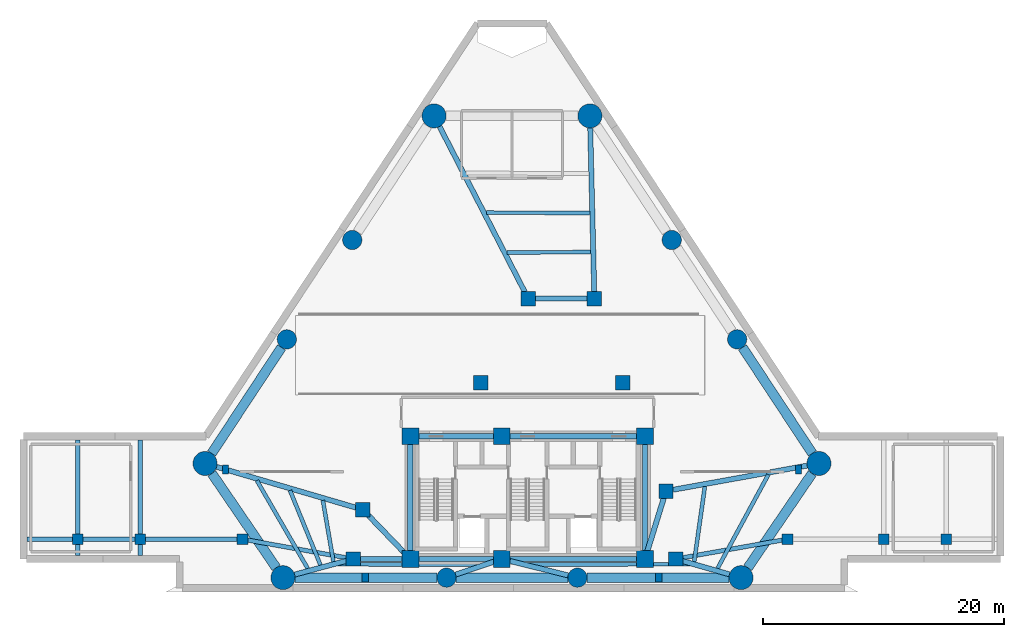
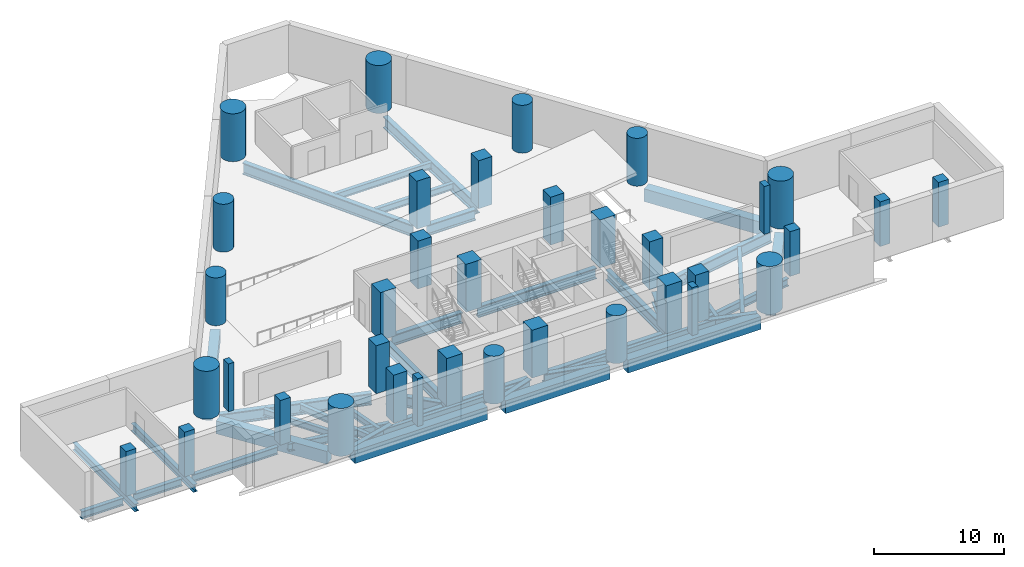
# One storey, part 1 of 6: 41 beams, 36 columns.
"""IFC4 building model written with IfcOpenShell, lengths in metres."""

from ifc_helpers import new_model, si_unit, direction, frame, origin, origin_2d, place, context, subcontext, project, spatial, rectangle, circle, i_section, extrude, material, material_profile, profile_set, type_object, element, save


model = new_model("IFC4")

# Units and contexts
model_context = context("Model", 3, precision=1e-05, world=origin(), true_north=direction((0.0, 1.0)))
body_context = subcontext(model_context, "Body", "Model", "MODEL_VIEW")
ifc_project = project(units=[si_unit("LENGTHUNIT", "METRE"), si_unit("AREAUNIT", "SQUARE_METRE"), si_unit("VOLUMEUNIT", "CUBIC_METRE"), si_unit("PLANEANGLEUNIT", "RADIAN"), si_unit("MASSUNIT", "GRAM", prefix="KILO")], contexts=[model_context])

# Site, building, storey
site_placement = place(None, origin())
site = spatial("IfcSite", under=ifc_project, at=site_placement, CompositionType="ELEMENT")
building_placement = place(site_placement, origin())
building = spatial("IfcBuilding", under=site, at=building_placement, Name="Almagre Mirador Tower", CompositionType="ELEMENT")
storey_placement = place(building_placement, frame((0.0, 0.0, -4.5)))
storey = spatial("IfcBuildingStorey", under=building, at=storey_placement, Name="B01", CompositionType="ELEMENT", Elevation=-4.5)

# Columns
ifc_material_1 = material(Name="Precast concrete C50/60", Category="concrete")
ifc_material_profile_1 = material_profile(ifc_material_1, rectangle(XDim=0.5, YDim=0.75, at=origin_2d()), Name="RC500X750")
ifc_profile_set_1 = profile_set([ifc_material_profile_1], Name="Precast concrete C50/60")
column_type_1 = type_object("IfcColumnType", Name="COL-PIL-500X750", PredefinedType="PILASTER", material=ifc_profile_set_1)
for number, where, z_axis, x_axis, name in (
    (1, (23.800048828125, 3.0, 0.0), (0.0, 0.0, 1.0), (1.0, 0.0, 0.0), "B01 expressed frame pilaster 01"),
    (2, (48.199951171875, 3.0, 0.0), (0.0, 0.0, 1.0), (1.0, 0.0, 0.0), "B01 expressed frame pilaster 02"),
    (3, (12.199951171875, 12.0, 0.0), (0.0, 0.0, 1.0), (1.0, 0.0, 0.0), "B01 expressed frame pilaster 03"),
    (4, (59.800048828125, 12.0, 0.0), (0.0, 0.0, 1.0), (1.0, 0.0, 0.0), "B01 expressed frame pilaster 04"),
):
    element("IfcColumn", number, at=place(storey_placement, frame(where, z_axis=z_axis, x_axis=x_axis)), inside=storey, type_object=column_type_1, Name=name, PredefinedType="PILASTER", context=body_context, shape_type="SweptSolid", body=[
        extrude(rectangle(XDim=0.5, YDim=0.75, at=origin_2d()), origin(), (0.0, 0.0, 1.0), 4.5),
    ])
ifc_material_2 = material(Name="Concrete C60/75", Category="concrete")
ifc_material_profile_2 = material_profile(ifc_material_2, rectangle(XDim=1.199951171875, YDim=1.199951171875, at=origin_2d()), Name="RC1200X1200")
ifc_profile_set_2 = profile_set([ifc_material_profile_2], Name="Concrete C60/75")
column_type_2 = type_object("IfcColumnType", Name="COL-RC1200", PredefinedType="COLUMN", material=ifc_profile_set_2)
for number, where, z_axis, x_axis, name in (
    (5, (22.800048828125, 4.550048828125, 0.0), (0.0, 0.0, 1.0), (1.0, 0.0, 0.0), "B01 interior transfer column MC1"),
    (6, (49.60009765625, 4.550048828125, 0.0), (0.0, 0.0, 1.0), (1.0, 0.0, 0.0), "B01 interior transfer column MC2"),
    (7, (48.800048828125, 10.199951171875, 0.0), (0.0, 0.0, 1.0), (1.0, 0.0, 0.0), "B01 interior transfer column MC3"),
    (8, (45.199951171875, 19.199951171875, 0.0), (0.0, 0.0, 1.0), (1.0, 0.0, 0.0), "B01 interior transfer column MC5"),
    (9, (42.85009765625, 26.199951171875, 0.0), (0.0, 0.0, 1.0), (1.0, 0.0, 0.0), "B01 interior transfer column MC6"),
    (10, (37.35009765625, 26.199951171875, 0.0), (0.0, 0.0, 1.0), (1.0, 0.0, 0.0), "B01 interior transfer column MC7"),
    (11, (33.39990234375, 19.199951171875, 0.0), (0.0, 0.0, 1.0), (1.0, 0.0, 0.0), "B01 interior transfer column MC8"),
    (12, (23.60009765625, 8.64990234375, 0.0), (0.0, 0.0, 1.0), (1.0, 0.0, 0.0), "B01 interior transfer column MC10"),
):
    element("IfcColumn", number, at=place(storey_placement, frame(where, z_axis=z_axis, x_axis=x_axis)), inside=storey, type_object=column_type_2, Name=name, PredefinedType="COLUMN", context=body_context, shape_type="SweptSolid", body=[
        extrude(rectangle(XDim=1.199951171875, YDim=1.199951171875, at=origin_2d()), origin(), (0.0, 0.0, 1.0), 4.5),
    ])
ifc_material_3 = material(Name="Concrete C60/75", Category="concrete")
ifc_material_profile_3 = material_profile(ifc_material_3, rectangle(XDim=1.39990234375, YDim=1.39990234375, at=origin_2d()), Name="RC1400X1400")
ifc_profile_set_3 = profile_set([ifc_material_profile_3], Name="Concrete C60/75")
column_type_3 = type_object("IfcColumnType", Name="COL-RC1400", PredefinedType="COLUMN", material=ifc_profile_set_3)
for number, where, z_axis, x_axis, name in (
    (13, (27.550048828125, 4.550048828125, 0.0), (0.0, 0.0, 1.0), (1.0, 0.0, 0.0), "B01 core spine column CC1"),
    (14, (35.14990234375, 4.550048828125, 0.0), (0.0, 0.0, 1.0), (1.0, 0.0, 0.0), "B01 core spine column CC2"),
    (15, (47.050048828125, 4.550048828125, 0.0), (0.0, 0.0, 1.0), (1.0, 0.0, 0.0), "B01 core spine column CC3"),
    (16, (27.550048828125, 14.75, 0.0), (0.0, 0.0, 1.0), (1.0, 0.0, 0.0), "B01 core spine column CC4"),
    (17, (35.14990234375, 14.75, 0.0), (0.0, 0.0, 1.0), (1.0, 0.0, 0.0), "B01 core spine column CC5"),
    (18, (47.050048828125, 14.75, 0.0), (0.0, 0.0, 1.0), (1.0, 0.0, 0.0), "B01 core spine column CC6"),
):
    element("IfcColumn", number, at=place(storey_placement, frame(where, z_axis=z_axis, x_axis=x_axis)), inside=storey, type_object=column_type_3, Name=name, PredefinedType="COLUMN", context=body_context, shape_type="SweptSolid", body=[
        extrude(rectangle(XDim=1.39990234375, YDim=1.39990234375, at=origin_2d()), origin(), (0.0, 0.0, 1.0), 4.5),
    ])
ifc_material_4 = material(Name="Concrete C70/85", Category="concrete")
ifc_material_profile_4 = material_profile(ifc_material_4, circle(Radius=0.800048828125, at=origin_2d()), Name="RC1600D")
ifc_profile_set_4 = profile_set([ifc_material_profile_4], Name="Concrete C70/85")
column_type_4 = type_object("IfcColumnType", Name="COL-RC1600D", PredefinedType="COLUMN", material=ifc_profile_set_4)
for number, where, z_axis, x_axis, name in (
    (19, (30.56005859375, 3.0, 0.0), (0.0, 0.0, 1.0), (1.0, 0.0, 0.0), "B01 perimeter column PC02"),
    (20, (41.43994140625, 3.0, 0.0), (0.0, 0.0, 1.0), (1.0, 0.0, 0.0), "B01 perimeter column PC03"),
    (21, (54.718017578125, 22.81201171875, 0.0), (0.0, 0.0, 1.0), (1.0, 0.0, 0.0), "B01 perimeter column PC06"),
    (22, (49.278076171875, 31.068115234375, 0.0), (0.0, 0.0, 1.0), (1.0, 0.0, 0.0), "B01 perimeter column PC07"),
    (23, (22.721923828125, 31.068115234375, 0.0), (0.0, 0.0, 1.0), (1.0, 0.0, 0.0), "B01 perimeter column PC10"),
    (24, (17.281982421875, 22.81201171875, 0.0), (0.0, 0.0, 1.0), (1.0, 0.0, 0.0), "B01 perimeter column PC11"),
):
    element("IfcColumn", number, at=place(storey_placement, frame(where, z_axis=z_axis, x_axis=x_axis)), inside=storey, type_object=column_type_4, Name=name, PredefinedType="COLUMN", context=body_context, shape_type="SweptSolid", body=[
        extrude(circle(Radius=0.800048828125, at=origin_2d()), origin(), (0.0, 0.0, 1.0), 4.5),
    ])
ifc_material_5 = material(Name="Concrete C70/85", Category="concrete")
ifc_material_profile_5 = material_profile(ifc_material_5, circle(Radius=1.0, at=origin_2d()), Name="RC2000D")
ifc_profile_set_5 = profile_set([ifc_material_profile_5], Name="Concrete C70/85")
column_type_5 = type_object("IfcColumnType", Name="COL-RC2000D", PredefinedType="COLUMN", material=ifc_profile_set_5)
for number, where, z_axis, x_axis, name in (
    (25, (16.9599609375, 3.0, 0.0), (0.0, 0.0, 1.0), (1.0, 0.0, 0.0), "B01 perimeter column PC01"),
    (26, (55.0400390625, 3.0, 0.0), (0.0, 0.0, 1.0), (1.0, 0.0, 0.0), "B01 perimeter column PC04"),
    (27, (61.51806640625, 12.491943359375, 0.0), (0.0, 0.0, 1.0), (1.0, 0.0, 0.0), "B01 perimeter column PC05"),
    (28, (42.47802734375, 41.387939453125, 0.0), (0.0, 0.0, 1.0), (1.0, 0.0, 0.0), "B01 perimeter column PC08"),
    (29, (29.52197265625, 41.387939453125, 0.0), (0.0, 0.0, 1.0), (1.0, 0.0, 0.0), "B01 perimeter column PC09"),
    (30, (10.48193359375, 12.491943359375, 0.0), (0.0, 0.0, 1.0), (1.0, 0.0, 0.0), "B01 perimeter column PC12"),
):
    element("IfcColumn", number, at=place(storey_placement, frame(where, z_axis=z_axis, x_axis=x_axis)), inside=storey, type_object=column_type_5, Name=name, PredefinedType="COLUMN", context=body_context, shape_type="SweptSolid", body=[
        extrude(circle(Radius=1.0, at=origin_2d()), origin(), (0.0, 0.0, 1.0), 4.5),
    ])
ifc_material_6 = material(Name="Concrete C60/75", Category="concrete")
ifc_material_profile_6 = material_profile(ifc_material_6, rectangle(XDim=0.89990234375, YDim=0.89990234375, at=origin_2d()), Name="RC900X900")
ifc_profile_set_6 = profile_set([ifc_material_profile_6], Name="Concrete C60/75")
column_type_6 = type_object("IfcColumnType", Name="COL-RC900", PredefinedType="COLUMN", material=ifc_profile_set_6)
for number, where, z_axis, x_axis, name in (
    (31, (-0.10009765625, 6.199951171875, 0.0), (0.0, 0.0, 1.0), (1.0, 0.0, 0.0), "B01 substructure wing column BCW1"),
    (32, (5.10009765625, 6.199951171875, 0.0), (0.0, 0.0, 1.0), (1.0, 0.0, 0.0), "B01 substructure wing column BCW2"),
    (33, (13.60009765625, 6.199951171875, 0.0), (0.0, 0.0, 1.0), (1.0, 0.0, 0.0), "B01 substructure wing column BCW3"),
    (34, (72.10009765625, 6.199951171875, 0.0), (0.0, 0.0, 1.0), (1.0, 0.0, 0.0), "B01 substructure wing column BCE1"),
    (35, (66.89990234375, 6.199951171875, 0.0), (0.0, 0.0, 1.0), (1.0, 0.0, 0.0), "B01 substructure wing column BCE2"),
    (36, (58.89990234375, 6.199951171875, 0.0), (0.0, 0.0, 1.0), (1.0, 0.0, 0.0), "B01 substructure wing column BCE3"),
):
    element("IfcColumn", number, at=place(storey_placement, frame(where, z_axis=z_axis, x_axis=x_axis)), inside=storey, type_object=column_type_6, Name=name, PredefinedType="COLUMN", context=body_context, shape_type="SweptSolid", body=[
        extrude(rectangle(XDim=0.89990234375, YDim=0.89990234375, at=origin_2d()), origin(), (0.0, 0.0, 1.0), 4.199951171875),
    ])

# Beams
ifc_material_7 = material(Name="Steel ASTM A992 Grade 50", Category="steel")
ifc_material_profile_7 = material_profile(ifc_material_7, i_section(OverallWidth=0.323974609375, OverallDepth=0.611083984375, WebThickness=0.0126953125, FlangeThickness=0.01904296875, FilletRadius=0.02001953125, at=origin_2d()), Name="W24X104")
ifc_profile_set_7 = profile_set([ifc_material_profile_7], Name="Steel ASTM A992 Grade 50")
beam_type_1 = type_object("IfcBeamType", Name="BM-JST-W24X104", PredefinedType="JOIST", material=ifc_profile_set_7)
beam_1_placement = place(storey_placement, frame((21.401611328125, 4.12158203125, -0.60546875), z_axis=(0.999990956833, -0.004252793403, 0.0), x_axis=(0.004252793403, 0.999990956833, 0.0)))
element("IfcBeam", 37, at=beam_1_placement, inside=storey, type_object=beam_type_1, Name="B01 secondary floor joist PC01-PC02.3", PredefinedType="JOIST", context=body_context, shape_type="SweptSolid", body=[
    extrude(i_section(OverallWidth=0.323974609375, OverallDepth=0.611083984375, WebThickness=0.0126953125, FlangeThickness=0.01904296875, FilletRadius=0.02001953125, at=origin_2d()), origin(), (0.0, 0.0, 1.0), 12.11279296875),
])
beam_2_placement = place(storey_placement, frame((37.20166015625, 4.096923828125, -0.60546875), z_axis=(0.99999877032, 0.001568234162, 0.0), x_axis=(-0.001568234162, 0.99999877032, 0.0)))
element("IfcBeam", 38, at=beam_2_placement, inside=storey, type_object=beam_type_1, Name="B01 secondary floor joist PC03-PC04.3", PredefinedType="JOIST", context=body_context, shape_type="SweptSolid", body=[
    extrude(i_section(OverallWidth=0.323974609375, OverallDepth=0.611083984375, WebThickness=0.0126953125, FlangeThickness=0.01904296875, FilletRadius=0.02001953125, at=origin_2d()), origin(), (0.0, 0.0, 1.0), 13.69970703125),
])
beam_3_placement = place(storey_placement, frame((53.0869140625, 3.771484375, -0.60546875), z_axis=(0.476618423224, 0.879110276725, 0.0), x_axis=(-0.879110276725, 0.476618423224, 0.0)))
element("IfcBeam", 39, at=beam_3_placement, inside=storey, type_object=beam_type_1, Name="B01 secondary floor joist PC04-PC05.1", PredefinedType="JOIST", context=body_context, shape_type="SweptSolid", body=[
    extrude(i_section(OverallWidth=0.323974609375, OverallDepth=0.611083984375, WebThickness=0.0126953125, FlangeThickness=0.01904296875, FilletRadius=0.02001953125, at=origin_2d()), origin(), (0.0, 0.0, 1.0), 8.8662109375),
])
beam_4_placement = place(storey_placement, frame((51.143310546875, 4.32861328125, -0.60546875), z_axis=(0.141226451712, 0.989977317587, 0.0), x_axis=(-0.989977317587, 0.141226451712, 0.0)))
element("IfcBeam", 40, at=beam_4_placement, inside=storey, type_object=beam_type_1, Name="B01 secondary floor joist PC04-PC05.3", PredefinedType="JOIST", context=body_context, shape_type="SweptSolid", body=[
    extrude(i_section(OverallWidth=0.323974609375, OverallDepth=0.611083984375, WebThickness=0.0126953125, FlangeThickness=0.01904296875, FilletRadius=0.02001953125, at=origin_2d()), origin(), (0.0, 0.0, 1.0), 6.313232421875),
])
beam_5_placement = place(storey_placement, frame((42.463623046875, 33.32275390625, -0.60546875), z_axis=(-0.999997902347, 0.002048243314, 0.0), x_axis=(-0.002048243314, -0.999997902347, 0.0)))
element("IfcBeam", 41, at=beam_5_placement, inside=storey, type_object=beam_type_1, Name="B01 secondary floor joist PC08-PC09.2", PredefinedType="JOIST", context=body_context, shape_type="SweptSolid", body=[
    extrude(i_section(OverallWidth=0.323974609375, OverallDepth=0.611083984375, WebThickness=0.0126953125, FlangeThickness=0.01904296875, FilletRadius=0.02001953125, at=origin_2d()), origin(), (0.0, 0.0, 1.0), 8.58203125),
])
beam_6_placement = place(storey_placement, frame((42.54345703125, 30.060302734375, -0.60546875), z_axis=(-0.99999479165, -0.003227487137, 0.0), x_axis=(0.003227487137, -0.99999479165, 0.0)))
element("IfcBeam", 42, at=beam_6_placement, inside=storey, type_object=beam_type_1, Name="B01 secondary floor joist PC08-PC09.3", PredefinedType="JOIST", context=body_context, shape_type="SweptSolid", body=[
    extrude(i_section(OverallWidth=0.323974609375, OverallDepth=0.611083984375, WebThickness=0.0126953125, FlangeThickness=0.01904296875, FilletRadius=0.02001953125, at=origin_2d()), origin(), (0.0, 0.0, 1.0), 6.959228515625),
])
beam_7_placement = place(storey_placement, frame((14.791015625, 11.077392578125, -0.60546875), z_axis=(0.500570588924, -0.865695723395, 0.0), x_axis=(0.865695723395, 0.500570588924, 0.0)))
element("IfcBeam", 43, at=beam_7_placement, inside=storey, type_object=beam_type_1, Name="B01 secondary floor joist PC12-PC01.1", PredefinedType="JOIST", context=body_context, shape_type="SweptSolid", body=[
    extrude(i_section(OverallWidth=0.323974609375, OverallDepth=0.611083984375, WebThickness=0.0126953125, FlangeThickness=0.01904296875, FilletRadius=0.02001953125, at=origin_2d()), origin(), (0.0, 0.0, 1.0), 8.45361328125),
])
beam_8_placement = place(storey_placement, frame((17.544921875, 10.25048828125, -0.60546875), z_axis=(0.378088150656, -0.925769598947, 0.0), x_axis=(0.925769598947, 0.378088150656, 0.0)))
element("IfcBeam", 44, at=beam_8_placement, inside=storey, type_object=beam_type_1, Name="B01 secondary floor joist PC12-PC01.2", PredefinedType="JOIST", context=body_context, shape_type="SweptSolid", body=[
    extrude(i_section(OverallWidth=0.323974609375, OverallDepth=0.611083984375, WebThickness=0.0126953125, FlangeThickness=0.01904296875, FilletRadius=0.02001953125, at=origin_2d()), origin(), (0.0, 0.0, 1.0), 6.70263671875),
])
beam_9_placement = place(storey_placement, frame((20.2802734375, 9.423828125, -0.60546875), z_axis=(0.169071360665, -0.985603812393, 0.0), x_axis=(0.985603812393, 0.169071360665, 0.0)))
element("IfcBeam", 45, at=beam_9_placement, inside=storey, type_object=beam_type_1, Name="B01 secondary floor joist PC12-PC01.3", PredefinedType="JOIST", context=body_context, shape_type="SweptSolid", body=[
    extrude(i_section(OverallWidth=0.323974609375, OverallDepth=0.611083984375, WebThickness=0.0126953125, FlangeThickness=0.01904296875, FilletRadius=0.02001953125, at=origin_2d()), origin(), (0.0, 0.0, 1.0), 5.166748046875),
])
ifc_material_8 = material(Name="Precast concrete C50/60", Category="concrete")
ifc_material_profile_8 = material_profile(ifc_material_8, rectangle(XDim=0.800048828125, YDim=1.199951171875, at=origin_2d()), Name="RC800X1200")
ifc_profile_set_8 = profile_set([ifc_material_profile_8], Name="Precast concrete C50/60")
beam_type_2 = type_object("IfcBeamType", Name="BM-SPN-RC800X1200", PredefinedType="SPANDREL", material=ifc_profile_set_8)
beam_10_placement = place(storey_placement, frame((17.9599609375, 3.0, -0.89990234375), z_axis=(1.0, 0.0, 0.0), x_axis=(0.0, 1.0, 0.0)))
element("IfcBeam", 46, at=beam_10_placement, inside=storey, type_object=beam_type_2, Name="B01 perimeter spandrel beam PC01-PC02", PredefinedType="SPANDREL", context=body_context, shape_type="SweptSolid", body=[
    extrude(rectangle(XDim=0.800048828125, YDim=1.199951171875, at=origin_2d()), origin(), (0.0, 0.0, 1.0), 11.800048828125),
])
beam_11_placement = place(storey_placement, frame((31.360107421875, 3.0, -0.89990234375), z_axis=(1.0, 0.0, 0.0), x_axis=(0.0, 1.0, 0.0)))
element("IfcBeam", 47, at=beam_11_placement, inside=storey, type_object=beam_type_2, Name="B01 perimeter spandrel beam PC02-PC03", PredefinedType="SPANDREL", context=body_context, shape_type="SweptSolid", body=[
    extrude(rectangle(XDim=0.800048828125, YDim=1.199951171875, at=origin_2d()), origin(), (0.0, 0.0, 1.0), 9.27978515625),
])
beam_12_placement = place(storey_placement, frame((42.239990234375, 3.0, -0.89990234375), z_axis=(1.0, 0.0, 0.0), x_axis=(0.0, 1.0, 0.0)))
element("IfcBeam", 48, at=beam_12_placement, inside=storey, type_object=beam_type_2, Name="B01 perimeter spandrel beam PC03-PC04", PredefinedType="SPANDREL", context=body_context, shape_type="SweptSolid", body=[
    extrude(rectangle(XDim=0.800048828125, YDim=1.199951171875, at=origin_2d()), origin(), (0.0, 0.0, 1.0), 11.800048828125),
])
beam_13_placement = place(storey_placement, frame((55.603759765625, 3.825927734375, -0.89990234375), z_axis=(0.563701507362, 0.825978577566, 0.0), x_axis=(-0.825978577566, 0.563701507362, 0.0)))
element("IfcBeam", 49, at=beam_13_placement, inside=storey, type_object=beam_type_2, Name="B01 perimeter spandrel beam PC04-PC05", PredefinedType="SPANDREL", context=body_context, shape_type="SweptSolid", body=[
    extrude(rectangle(XDim=0.800048828125, YDim=1.199951171875, at=origin_2d()), origin(), (0.0, 0.0, 1.0), 9.491943359375),
])
for number, where, z_axis, x_axis, name in (
    (50, (60.9677734375, 13.326904296875, -0.89990234375), (-0.550199423007, 0.835033289709, 0.0), (-0.835033289709, -0.550199423007, 0.0), "B01 perimeter spandrel beam PC05-PC06"),
    (51, (16.841796875, 22.14404296875, -0.89990234375), (-0.550199423007, -0.835033289709, 0.0), (0.835033289709, -0.550199423007, 0.0), "B01 perimeter spandrel beam PC11-PC12"),
):
    element("IfcBeam", number, at=place(storey_placement, frame(where, z_axis=z_axis, x_axis=x_axis)), inside=storey, type_object=beam_type_2, Name=name, PredefinedType="SPANDREL", context=body_context, shape_type="SweptSolid", body=[
        extrude(rectangle(XDim=0.800048828125, YDim=1.199951171875, at=origin_2d()), origin(), (0.0, 0.0, 1.0), 10.55908203125),
    ])
beam_14_placement = place(storey_placement, frame((11.045654296875, 11.666015625, -0.89990234375), z_axis=(0.563701507362, -0.825978577566, 0.0), x_axis=(0.825978577566, 0.563701507362, 0.0)))
element("IfcBeam", 52, at=beam_14_placement, inside=storey, type_object=beam_type_2, Name="B01 perimeter spandrel beam PC12-PC01", PredefinedType="SPANDREL", context=body_context, shape_type="SweptSolid", body=[
    extrude(rectangle(XDim=0.800048828125, YDim=1.199951171875, at=origin_2d()), origin(), (0.0, 0.0, 1.0), 9.491943359375),
])
ifc_material_9 = material(Name="Steel ASTM A992 Grade 50", Category="steel")
ifc_material_profile_9 = material_profile(ifc_material_9, i_section(OverallWidth=0.35791015625, OverallDepth=0.7060546875, WebThickness=0.018310546875, FlangeThickness=0.0302734375, FilletRadius=0.02197265625, at=origin_2d()), Name="W27X178")
ifc_profile_set_9 = profile_set([ifc_material_profile_9], Name="Steel ASTM A992 Grade 50")
beam_type_3 = type_object("IfcBeamType", Name="BM-STL-W27X178", PredefinedType="BEAM", material=ifc_profile_set_9)
beam_15_placement = place(storey_placement, frame((-4.300048828125, 6.199951171875, -0.653076171875), z_axis=(1.0, 0.0, 0.0), x_axis=(0.0, 1.0, 0.0)))
element("IfcBeam", 53, at=beam_15_placement, inside=storey, type_object=beam_type_3, Name="B01 substructure wing girder BW-W1", PredefinedType="BEAM", context=body_context, shape_type="SweptSolid", body=[
    extrude(i_section(OverallWidth=0.35791015625, OverallDepth=0.7060546875, WebThickness=0.018310546875, FlangeThickness=0.0302734375, FilletRadius=0.02197265625, at=origin_2d()), origin(), (0.0, 0.0, 1.0), 3.75),
])
beam_16_placement = place(storey_placement, frame((0.35009765625, 6.199951171875, -0.653076171875), z_axis=(1.0, 0.0, 0.0), x_axis=(0.0, 1.0, 0.0)))
element("IfcBeam", 54, at=beam_16_placement, inside=storey, type_object=beam_type_3, Name="B01 substructure wing girder BW-W2", PredefinedType="BEAM", context=body_context, shape_type="SweptSolid", body=[
    extrude(i_section(OverallWidth=0.35791015625, OverallDepth=0.7060546875, WebThickness=0.018310546875, FlangeThickness=0.0302734375, FilletRadius=0.02197265625, at=origin_2d()), origin(), (0.0, 0.0, 1.0), 4.2998046875),
])
beam_17_placement = place(storey_placement, frame((5.550048828125, 6.199951171875, -0.653076171875), z_axis=(1.0, 0.0, 0.0), x_axis=(0.0, 1.0, 0.0)))
element("IfcBeam", 55, at=beam_17_placement, inside=storey, type_object=beam_type_3, Name="B01 substructure wing girder BW-W3", PredefinedType="BEAM", context=body_context, shape_type="SweptSolid", body=[
    extrude(i_section(OverallWidth=0.35791015625, OverallDepth=0.7060546875, WebThickness=0.018310546875, FlangeThickness=0.0302734375, FilletRadius=0.02197265625, at=origin_2d()), origin(), (0.0, 0.0, 1.0), 7.599853515625),
])
beam_18_placement = place(storey_placement, frame((14.04296875, 6.12060546875, -0.653076171875), z_axis=(0.984295993764, -0.176525909315, 0.0), x_axis=(0.176525909315, 0.984295993764, 0.0)))
element("IfcBeam", 56, at=beam_18_placement, inside=storey, type_object=beam_type_3, Name="B01 substructure wing girder BW-W4", PredefinedType="BEAM", context=body_context, shape_type="SweptSolid", body=[
    extrude(i_section(OverallWidth=0.35791015625, OverallDepth=0.7060546875, WebThickness=0.018310546875, FlangeThickness=0.0302734375, FilletRadius=0.02197265625, at=origin_2d()), origin(), (0.0, 0.0, 1.0), 8.296875),
])
for number, where, z_axis, x_axis, name in (
    (57, (-0.10009765625, 4.85009765625, -0.653076171875), (0.0, 1.0, 0.0), (-1.0, 0.0, 0.0), "B01 substructure wing girder BW-WN1"),
    (58, (5.10009765625, 4.85009765625, -0.653076171875), (0.0, 1.0, 0.0), (-1.0, 0.0, 0.0), "B01 substructure wing girder BW-WN2"),
):
    element("IfcBeam", number, at=place(storey_placement, frame(where, z_axis=z_axis, x_axis=x_axis)), inside=storey, type_object=beam_type_3, Name=name, PredefinedType="BEAM", context=body_context, shape_type="SweptSolid", body=[
        extrude(i_section(OverallWidth=0.35791015625, OverallDepth=0.7060546875, WebThickness=0.018310546875, FlangeThickness=0.0302734375, FilletRadius=0.02197265625, at=origin_2d()), origin(), (0.0, 0.0, 1.0), 9.599853515625),
    ])
beam_19_placement = place(storey_placement, frame((58.456787109375, 6.121337890625, -0.653076171875), z_axis=(-0.984622701275, -0.174694407849, 0.0), x_axis=(0.174694407849, -0.984622701275, 0.0)))
element("IfcBeam", 59, at=beam_19_placement, inside=storey, type_object=beam_type_3, Name="B01 substructure wing girder BW-E4", PredefinedType="BEAM", context=body_context, shape_type="SweptSolid", body=[
    extrude(i_section(OverallWidth=0.35791015625, OverallDepth=0.7060546875, WebThickness=0.018310546875, FlangeThickness=0.0302734375, FilletRadius=0.02197265625, at=origin_2d()), origin(), (0.0, 0.0, 1.0), 8.39501953125),
])
ifc_material_10 = material(Name="Steel ASTM A992 Grade 50", Category="steel")
ifc_material_profile_10 = material_profile(ifc_material_10, i_section(OverallWidth=0.43701171875, OverallDepth=1.010986328125, WebThickness=0.041015625, FlangeThickness=0.073974609375, FilletRadius=0.028076171875, at=origin_2d()), Name="W36X529")
ifc_profile_set_10 = profile_set([ifc_material_profile_10], Name="Steel ASTM A992 Grade 50")
beam_type_4 = type_object("IfcBeamType", Name="BM-STL-W36X529", PredefinedType="BEAM", material=ifc_profile_set_10)
beam_20_placement = place(storey_placement, frame((37.949951171875, 26.199951171875, -0.805419921875), z_axis=(1.0, 0.0, 0.0), x_axis=(0.0, 1.0, 0.0)))
element("IfcBeam", 60, at=beam_20_placement, inside=storey, type_object=beam_type_4, Name="B01 core tie girder MC7-MC6", PredefinedType="BEAM", context=body_context, shape_type="SweptSolid", body=[
    extrude(i_section(OverallWidth=0.43701171875, OverallDepth=1.010986328125, WebThickness=0.041015625, FlangeThickness=0.073974609375, FilletRadius=0.028076171875, at=origin_2d()), origin(), (0.0, 0.0, 1.0), 4.300048828125),
])
beam_21_placement = place(storey_placement, frame((28.25, 4.550048828125, -0.805419921875), z_axis=(1.0, 0.0, 0.0), x_axis=(0.0, 1.0, 0.0)))
element("IfcBeam", 61, at=beam_21_placement, inside=storey, type_object=beam_type_4, Name="B01 core tie girder CC1-CC2", PredefinedType="BEAM", context=body_context, shape_type="SweptSolid", body=[
    extrude(i_section(OverallWidth=0.43701171875, OverallDepth=1.010986328125, WebThickness=0.041015625, FlangeThickness=0.073974609375, FilletRadius=0.028076171875, at=origin_2d()), origin(), (0.0, 0.0, 1.0), 6.199951171875),
])
beam_22_placement = place(storey_placement, frame((35.85009765625, 4.550048828125, -0.805419921875), z_axis=(1.0, 0.0, 0.0), x_axis=(0.0, 1.0, 0.0)))
element("IfcBeam", 62, at=beam_22_placement, inside=storey, type_object=beam_type_4, Name="B01 core tie girder CC2-CC3", PredefinedType="BEAM", context=body_context, shape_type="SweptSolid", body=[
    extrude(i_section(OverallWidth=0.43701171875, OverallDepth=1.010986328125, WebThickness=0.041015625, FlangeThickness=0.073974609375, FilletRadius=0.028076171875, at=origin_2d()), origin(), (0.0, 0.0, 1.0), 10.5),
])
beam_23_placement = place(storey_placement, frame((28.25, 14.75, -0.805419921875), z_axis=(1.0, 0.0, 0.0), x_axis=(0.0, 1.0, 0.0)))
element("IfcBeam", 63, at=beam_23_placement, inside=storey, type_object=beam_type_4, Name="B01 core tie girder CC4-CC5", PredefinedType="BEAM", context=body_context, shape_type="SweptSolid", body=[
    extrude(i_section(OverallWidth=0.43701171875, OverallDepth=1.010986328125, WebThickness=0.041015625, FlangeThickness=0.073974609375, FilletRadius=0.028076171875, at=origin_2d()), origin(), (0.0, 0.0, 1.0), 6.199951171875),
])
beam_24_placement = place(storey_placement, frame((35.85009765625, 14.75, -0.805419921875), z_axis=(1.0, 0.0, 0.0), x_axis=(0.0, 1.0, 0.0)))
element("IfcBeam", 64, at=beam_24_placement, inside=storey, type_object=beam_type_4, Name="B01 core tie girder CC5-CC6", PredefinedType="BEAM", context=body_context, shape_type="SweptSolid", body=[
    extrude(i_section(OverallWidth=0.43701171875, OverallDepth=1.010986328125, WebThickness=0.041015625, FlangeThickness=0.073974609375, FilletRadius=0.028076171875, at=origin_2d()), origin(), (0.0, 0.0, 1.0), 10.5),
])
for number, where, z_axis, x_axis, name in (
    (65, (27.550048828125, 5.25, -0.805419921875), (0.0, 1.0, 0.0), (-1.0, 0.0, 0.0), "B01 core tie girder CC1-CC4"),
    (66, (47.050048828125, 5.25, -0.805419921875), (0.0, 1.0, 0.0), (-1.0, 0.0, 0.0), "B01 core tie girder CC3-CC6"),
):
    element("IfcBeam", number, at=place(storey_placement, frame(where, z_axis=z_axis, x_axis=x_axis)), inside=storey, type_object=beam_type_4, Name=name, PredefinedType="BEAM", context=body_context, shape_type="SweptSolid", body=[
        extrude(i_section(OverallWidth=0.43701171875, OverallDepth=1.010986328125, WebThickness=0.041015625, FlangeThickness=0.073974609375, FilletRadius=0.028076171875, at=origin_2d()), origin(), (0.0, 0.0, 1.0), 8.800048828125),
    ])
beam_25_placement = place(storey_placement, frame((23.39990234375, 4.550048828125, -0.805419921875), z_axis=(1.0, 0.0, 0.0), x_axis=(0.0, 1.0, 0.0)))
element("IfcBeam", 67, at=beam_25_placement, inside=storey, type_object=beam_type_4, Name="B01 core tie girder MC1-CC1", PredefinedType="BEAM", context=body_context, shape_type="SweptSolid", body=[
    extrude(i_section(OverallWidth=0.43701171875, OverallDepth=1.010986328125, WebThickness=0.041015625, FlangeThickness=0.073974609375, FilletRadius=0.028076171875, at=origin_2d()), origin(), (0.0, 0.0, 1.0), 3.4501953125),
])
beam_26_placement = place(storey_placement, frame((48.62255859375, 9.626953125, -0.805419921875), z_axis=(-0.295888328273, -0.955222538046, 0.0), x_axis=(0.955222538046, -0.295888328273, 0.0)))
element("IfcBeam", 68, at=beam_26_placement, inside=storey, type_object=beam_type_4, Name="B01 core tie girder MC3-CC3", PredefinedType="BEAM", context=body_context, shape_type="SweptSolid", body=[
    extrude(i_section(OverallWidth=0.43701171875, OverallDepth=1.010986328125, WebThickness=0.041015625, FlangeThickness=0.073974609375, FilletRadius=0.028076171875, at=origin_2d()), origin(), (0.0, 0.0, 1.0), 4.61474609375),
])
beam_27_placement = place(storey_placement, frame((24.016357421875, 8.218017578125, -0.805419921875), z_axis=(0.693784781157, -0.720182391783, 0.0), x_axis=(0.720182391783, 0.693784781157, 0.0)))
element("IfcBeam", 69, at=beam_27_placement, inside=storey, type_object=beam_type_4, Name="B01 core tie girder MC10-CC1", PredefinedType="BEAM", context=body_context, shape_type="SweptSolid", body=[
    extrude(i_section(OverallWidth=0.43701171875, OverallDepth=1.010986328125, WebThickness=0.041015625, FlangeThickness=0.073974609375, FilletRadius=0.028076171875, at=origin_2d()), origin(), (0.0, 0.0, 1.0), 4.39306640625),
])
ifc_material_11 = material(Name="Steel ASTM A913 Grade 65", Category="steel")
ifc_material_profile_11 = material_profile(ifc_material_11, i_section(OverallWidth=0.424072265625, OverallDepth=1.092041015625, WebThickness=0.04541015625, FlangeThickness=0.08203125, FilletRadius=0.030029296875, at=origin_2d()), Name="W40X593")
ifc_profile_set_11 = profile_set([ifc_material_profile_11], Name="Steel ASTM A913 Grade 65")
beam_type_5 = type_object("IfcBeamType", Name="BM-STL-W40X593", PredefinedType="BEAM", material=ifc_profile_set_11)
beam_28_placement = place(storey_placement, frame((17.926513671875, 3.256591796875, -0.845947265625), z_axis=(0.966547100436, 0.256489186202, 0.0), x_axis=(-0.256489186202, 0.966547100436, 0.0)))
element("IfcBeam", 70, at=beam_28_placement, inside=storey, type_object=beam_type_5, Name="B01 radial floor girder PC01-MC1", PredefinedType="BEAM", context=body_context, shape_type="SweptSolid", body=[
    extrude(i_section(OverallWidth=0.424072265625, OverallDepth=1.092041015625, WebThickness=0.04541015625, FlangeThickness=0.08203125, FilletRadius=0.030029296875, at=origin_2d()), origin(), (0.0, 0.0, 1.0), 4.4423828125),
])
beam_29_placement = place(storey_placement, frame((31.318115234375, 3.256103515625, -0.845947265625), z_axis=(0.947457161142, 0.319882678182, 0.0), x_axis=(-0.319882678182, 0.947457161142, 0.0)))
element("IfcBeam", 71, at=beam_29_placement, inside=storey, type_object=beam_type_5, Name="B01 radial floor girder PC02-CC2", PredefinedType="BEAM", context=body_context, shape_type="SweptSolid", body=[
    extrude(i_section(OverallWidth=0.424072265625, OverallDepth=1.092041015625, WebThickness=0.04541015625, FlangeThickness=0.08203125, FilletRadius=0.030029296875, at=origin_2d()), origin(), (0.0, 0.0, 1.0), 3.344482421875),
])
beam_30_placement = place(storey_placement, frame((40.6630859375, 3.19140625, -0.845947265625), z_axis=(-0.970950577001, 0.239280122497, 0.0), x_axis=(-0.239280122497, -0.970950577001, 0.0)))
element("IfcBeam", 72, at=beam_30_placement, inside=storey, type_object=beam_type_5, Name="B01 radial floor girder PC03-CC2", PredefinedType="BEAM", context=body_context, shape_type="SweptSolid", body=[
    extrude(i_section(OverallWidth=0.424072265625, OverallDepth=1.092041015625, WebThickness=0.04541015625, FlangeThickness=0.08203125, FilletRadius=0.030029296875, at=origin_2d()), origin(), (0.0, 0.0, 1.0), 4.97802734375),
])
beam_31_placement = place(storey_placement, frame((54.078369140625, 3.27392578125, -0.845947265625), z_axis=(-0.961725811742, 0.274013618327, 0.0), x_axis=(-0.274013618327, -0.961725811742, 0.0)))
element("IfcBeam", 73, at=beam_31_placement, inside=storey, type_object=beam_type_5, Name="B01 radial floor girder PC04-MC2", PredefinedType="BEAM", context=body_context, shape_type="SweptSolid", body=[
    extrude(i_section(OverallWidth=0.424072265625, OverallDepth=1.092041015625, WebThickness=0.04541015625, FlangeThickness=0.08203125, FilletRadius=0.030029296875, at=origin_2d()), origin(), (0.0, 0.0, 1.0), 4.056640625),
])
beam_32_placement = place(storey_placement, frame((60.533935546875, 12.314697265625, -0.845947265625), z_axis=(-0.984145408317, -0.177363511717, 0.0), x_axis=(0.177363511717, -0.984145408317, 0.0)))
element("IfcBeam", 74, at=beam_32_placement, inside=storey, type_object=beam_type_5, Name="B01 radial floor girder PC05-MC3", PredefinedType="BEAM", context=body_context, shape_type="SweptSolid", body=[
    extrude(i_section(OverallWidth=0.424072265625, OverallDepth=1.092041015625, WebThickness=0.04541015625, FlangeThickness=0.08203125, FilletRadius=0.030029296875, at=origin_2d()), origin(), (0.0, 0.0, 1.0), 11.322998046875),
])
beam_33_placement = place(storey_placement, frame((42.50244140625, 40.38818359375, -0.845947265625), z_axis=(0.024481502854, -0.999700283094, 0.0), x_axis=(0.999700283094, 0.024481502854, 0.0)))
element("IfcBeam", 75, at=beam_33_placement, inside=storey, type_object=beam_type_5, Name="B01 radial floor girder PC08-MC6", PredefinedType="BEAM", context=body_context, shape_type="SweptSolid", body=[
    extrude(i_section(OverallWidth=0.424072265625, OverallDepth=1.092041015625, WebThickness=0.04541015625, FlangeThickness=0.08203125, FilletRadius=0.030029296875, at=origin_2d()), origin(), (0.0, 0.0, 1.0), 13.592529296875),
])
beam_34_placement = place(storey_placement, frame((29.97998046875, 40.4990234375, -0.845947265625), z_axis=(0.458152137996, -0.888873792194, 0.0), x_axis=(0.888873792194, 0.458152137996, 0.0)))
element("IfcBeam", 76, at=beam_34_placement, inside=storey, type_object=beam_type_5, Name="B01 radial floor girder PC09-MC7", PredefinedType="BEAM", context=body_context, shape_type="SweptSolid", body=[
    extrude(i_section(OverallWidth=0.424072265625, OverallDepth=1.092041015625, WebThickness=0.04541015625, FlangeThickness=0.08203125, FilletRadius=0.030029296875, at=origin_2d()), origin(), (0.0, 0.0, 1.0), 15.486572265625),
])
beam_35_placement = place(storey_placement, frame((11.441650390625, 12.2109375, -0.845947265625), z_axis=(0.959685383652, -0.281076438722, 0.0), x_axis=(0.281076438722, 0.959685383652, 0.0)))
element("IfcBeam", 77, at=beam_35_placement, inside=storey, type_object=beam_type_5, Name="B01 radial floor girder PC12-MC10", PredefinedType="BEAM", context=body_context, shape_type="SweptSolid", body=[
    extrude(i_section(OverallWidth=0.424072265625, OverallDepth=1.092041015625, WebThickness=0.04541015625, FlangeThickness=0.08203125, FilletRadius=0.030029296875, at=origin_2d()), origin(), (0.0, 0.0, 1.0), 12.069091796875),
])

save(model, "model.ifc")
